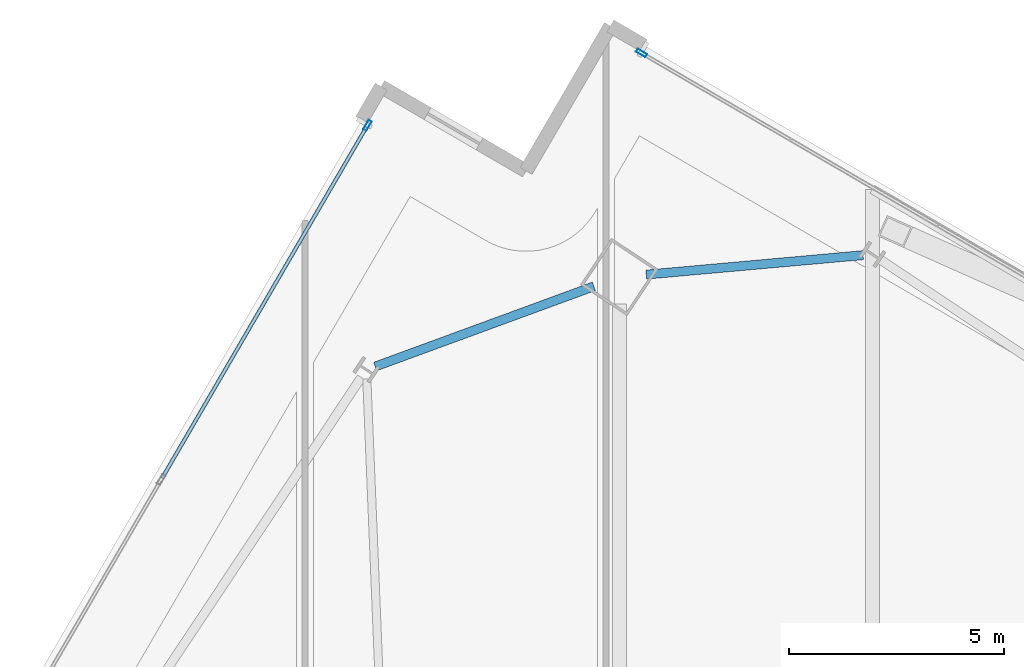
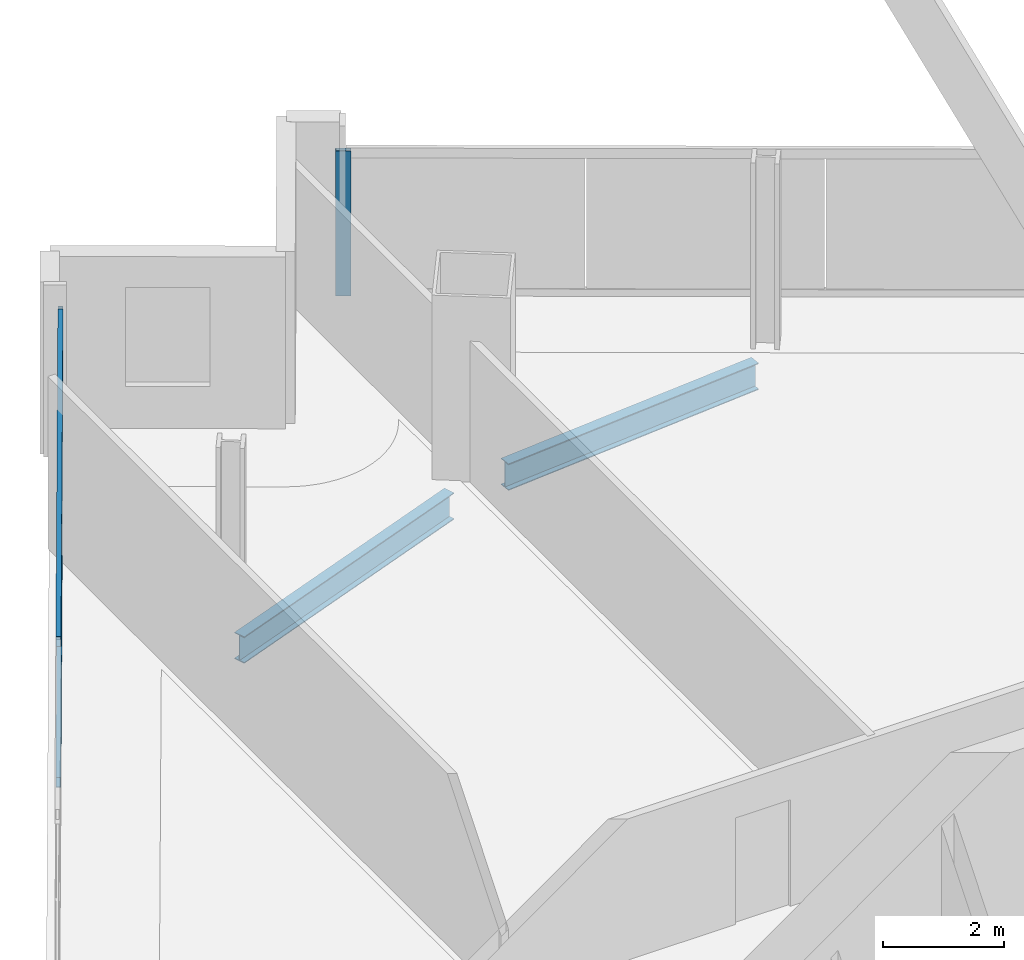
# One storey, part 15 of 29: 4 members, 2 beams, 2 elements without a shape of their own.
"""IFC4 building model written with IfcOpenShell, lengths in metres."""

from ifc_helpers import new_model, si_unit, direction, frame, origin, origin_2d, place, context, subcontext, project, spatial, hollow_rectangle, i_section, extrude, material, material_profile, profile_set, type_object, element, aggregate, save


model = new_model("IFC4")

# Units and contexts
model_context = context("Model", 3, precision=1e-05, world=origin(), true_north=direction((0.0, 1.0)))
body_context = subcontext(model_context, "Body", "Model", "MODEL_VIEW")
ifc_project = project(units=[si_unit("LENGTHUNIT", "METRE"), si_unit("AREAUNIT", "SQUARE_METRE"), si_unit("VOLUMEUNIT", "CUBIC_METRE"), si_unit("PLANEANGLEUNIT", "RADIAN"), si_unit("MASSUNIT", "GRAM", prefix="KILO")], contexts=[model_context])

# Site, building, storey
site_placement = place(None, origin())
site = spatial("IfcSite", under=ifc_project, at=site_placement, CompositionType="ELEMENT")
building_placement = place(site_placement, origin())
building = spatial("IfcBuilding", under=site, at=building_placement, Name="Haldenkirk Collegiate Tower", CompositionType="ELEMENT")
storey_placement = place(building_placement, frame((0.0, 0.0, 228.449951171875)))
storey = spatial("IfcBuildingStorey", under=building, at=storey_placement, Name="L57", CompositionType="ELEMENT", Elevation=228.449951171875)

# Beams
ifc_material_1 = material(Name="Steel ASTM A992 Grade 50", Category="steel")
ifc_material_profile_1 = material_profile(ifc_material_1, i_section(OverallWidth=0.2099609375, OverallDepth=0.537109375, WebThickness=0.010986328125, FlangeThickness=0.017333984375, at=origin_2d()), Name="W21X68")
ifc_profile_set_1 = profile_set([ifc_material_profile_1], Name="Steel ASTM A992 Grade 50")
beam_type = type_object("IfcBeamType", Name="BM-SPANDREL-W21X68", PredefinedType="SPANDREL", material=ifc_profile_set_1)
beam_1_placement = place(storey_placement, frame((37.9765625, 50.649169921875, -0.54833984375), z_axis=(-0.996001224794, -0.089339578066, 0.0), x_axis=(0.089339578066, -0.996001224794, 0.0)))
element("IfcBeam", 1, at=beam_1_placement, inside=storey, type_object=beam_type, Name="L57 perimeter spandrel beam 08", PredefinedType="SPANDREL", context=body_context, shape_type="SweptSolid", body=[
    extrude(i_section(OverallWidth=0.2099609375, OverallDepth=0.537109375, WebThickness=0.010986328125, FlangeThickness=0.017333984375, at=origin_2d()), origin(), (0.0, 0.0, 1.0), 5.06103515625),
])
beam_2_placement = place(storey_placement, frame((31.716796875, 49.923828125, -0.54833984375), z_axis=(-0.938842319963, -0.344347351153, 0.0), x_axis=(0.344347351153, -0.938842319963, 0.0)))
element("IfcBeam", 2, at=beam_2_placement, inside=storey, type_object=beam_type, Name="L57 perimeter spandrel beam 09", PredefinedType="SPANDREL", context=body_context, shape_type="SweptSolid", body=[
    extrude(i_section(OverallWidth=0.2099609375, OverallDepth=0.537109375, WebThickness=0.010986328125, FlangeThickness=0.017333984375, at=origin_2d()), origin(), (0.0, 0.0, 1.0), 5.416748046875),
])

# Curtain wall, member
ifc_material_2 = material(Name="Anodised architectural bronze aluminium", Category="aluminium")
curtain_wall_type = type_object("IfcCurtainWallType", Name="CW-SYS1B-CONVEX-HI", PredefinedType="USERDEFINED", material=ifc_material_2)
curtain_wall_1_placement = place(storey_placement, origin())
curtain_wall_1 = element("IfcCurtainWall", 3, at=curtain_wall_1_placement, inside=storey, type_object=curtain_wall_type, Name="L57 Upper tower high-wind convex bronze unitised curtain wall", ObjectType="UNITISED CURTAIN WALL", PredefinedType="USERDEFINED")
ifc_material_profile_2 = material_profile(ifc_material_2, hollow_rectangle(XDim=0.0849609375, YDim=0.25, WallThickness=0.0048828125, at=origin_2d()), Name="CW-MUL-1B")
ifc_profile_set_2 = profile_set([ifc_material_profile_2], Name="Anodised architectural bronze aluminium")
member_type_1 = type_object("IfcMemberType", Name="CW-MUL-1B", PredefinedType="MULLION", material=ifc_profile_set_2)
member_1_placement = place(storey_placement, frame((32.825439453125, 55.350341796875, 0.0), z_axis=(0.0, 0.0, 1.0), x_axis=(0.503020051603, 0.864274740858, 0.0)))
member_1 = element("IfcMember", 4, at=member_1_placement, type_object=member_type_1, Name="CW-1B mullion 1", PredefinedType="MULLION", context=body_context, shape_type="SweptSolid", body=[
    extrude(hollow_rectangle(XDim=0.0849609375, YDim=0.25, WallThickness=0.0048828125, at=origin_2d()), origin(), (0.0, 0.0, 1.0), 2.927978515625),
])
aggregate(curtain_wall_1, [member_1])

# Curtain wall, members
curtain_wall_2_placement = place(storey_placement, origin())
curtain_wall_2 = element("IfcCurtainWall", 5, at=curtain_wall_2_placement, inside=storey, type_object=curtain_wall_type, Name="L57 Upper tower high-wind convex bronze unitised curtain wall", ObjectType="UNITISED CURTAIN WALL", PredefinedType="USERDEFINED")
member_2_placement = place(storey_placement, frame((26.450439453125, 53.666259765625, 0.0), z_axis=(0.0, 0.0, 1.0), x_axis=(-0.864274888861, 0.503019797309, 0.0)))
member_2 = element("IfcMember", 6, at=member_2_placement, type_object=member_type_1, Name="CW-1B mullion 5", PredefinedType="MULLION", context=body_context, shape_type="SweptSolid", body=[
    extrude(hollow_rectangle(XDim=0.0849609375, YDim=0.25, WallThickness=0.0048828125, at=origin_2d()), origin(), (0.0, 0.0, 1.0), 2.927978515625),
])
ifc_material_profile_3 = material_profile(ifc_material_2, hollow_rectangle(XDim=0.0849609375, YDim=0.199951171875, WallThickness=0.0048828125, at=origin_2d()), Name="CW-TRN-1B")
ifc_profile_set_3 = profile_set([ifc_material_profile_3], Name="Anodised architectural bronze aluminium")
member_type_2 = type_object("IfcMemberType", Name="CW-TRN-1B", PredefinedType="USERDEFINED", material=ifc_profile_set_3)
member_3_placement = place(storey_placement, frame((21.6767578125, 45.464111328125, 0.04248046875), z_axis=(0.503030469993, 0.864268677125, 0.0), x_axis=(-0.864268677125, 0.503030469993, 0.0)))
member_3 = element("IfcMember", 7, at=member_3_placement, type_object=member_type_2, Name="CW-1B transom 4.1", ObjectType="TRANSOM", PredefinedType="USERDEFINED", context=body_context, shape_type="SweptSolid", body=[
    extrude(hollow_rectangle(XDim=0.0849609375, YDim=0.199951171875, WallThickness=0.0048828125, at=origin_2d()), origin(), (0.0, 0.0, 1.0), 9.447509765625),
])
member_4_placement = place(storey_placement, frame((21.6767578125, 45.464111328125, 2.885498046875), z_axis=(0.503030469993, 0.864268677125, 0.0), x_axis=(-0.864268677125, 0.503030469993, 0.0)))
member_4 = element("IfcMember", 8, at=member_4_placement, type_object=member_type_2, Name="CW-1B transom 4.2", ObjectType="TRANSOM", PredefinedType="USERDEFINED", context=body_context, shape_type="SweptSolid", body=[
    extrude(hollow_rectangle(XDim=0.0849609375, YDim=0.199951171875, WallThickness=0.0048828125, at=origin_2d()), origin(), (0.0, 0.0, 1.0), 9.447509765625),
])
aggregate(curtain_wall_2, [member_2, member_3, member_4])

save(model, "model.ifc")
